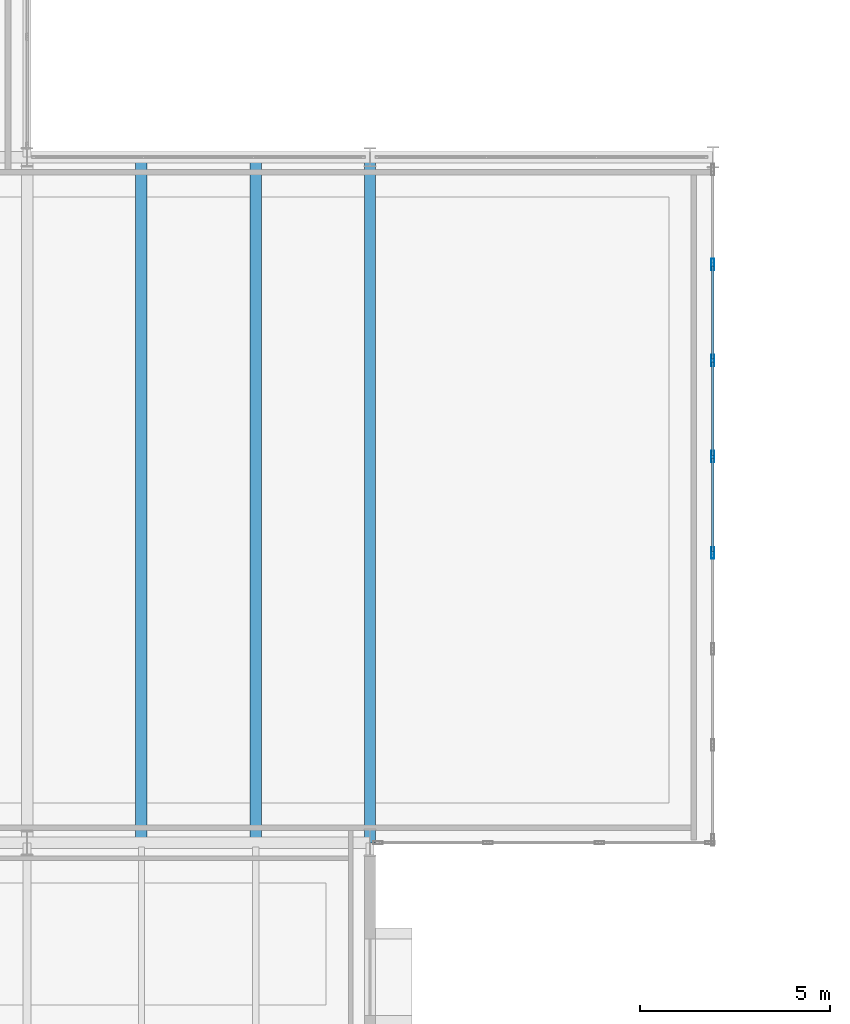
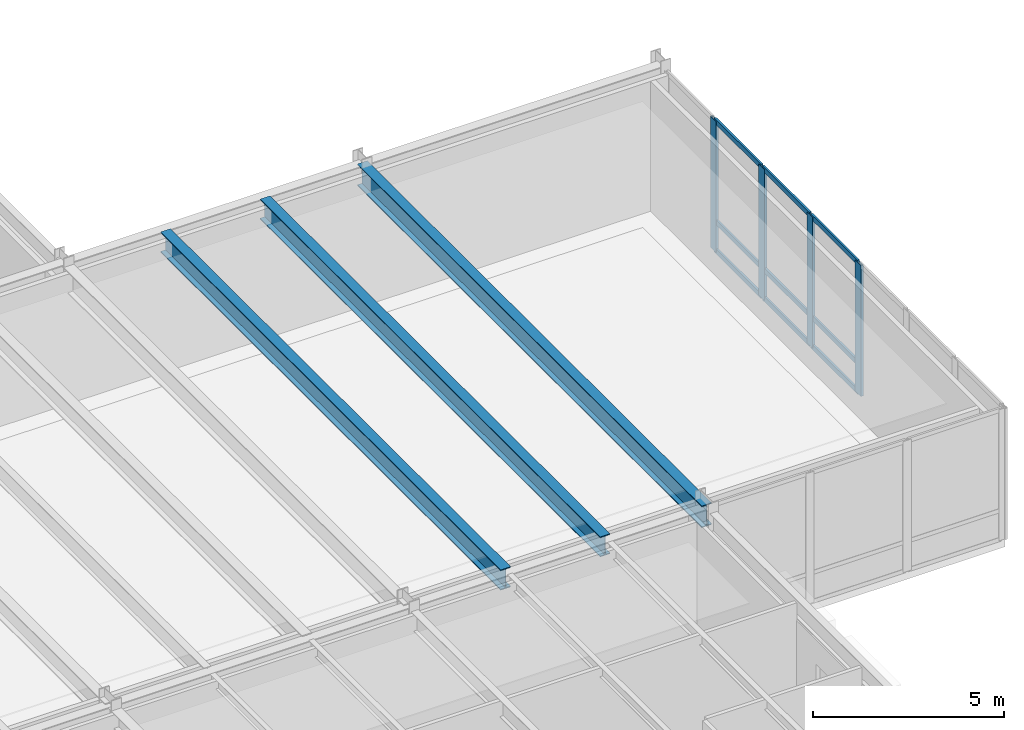
# One storey, part 85 of 127: 13 members, 3 beams, 1 element without a shape of its own.
"""IFC4 building model written with IfcOpenShell, lengths in metres."""

from ifc_helpers import new_model, si_unit, direction, frame, origin, origin_2d, place, context, subcontext, project, spatial, hollow_rectangle, i_section, extrude, material, layer, layer_set, material_profile, profile_set, type_object, element, aggregate, save


model = new_model("IFC4")

# Units and contexts
model_context = context("Model", 3, precision=1e-05, world=origin(), true_north=direction((0.0, 1.0)))
body_context = subcontext(model_context, "Body", "Model", "MODEL_VIEW")
ifc_project = project(units=[si_unit("LENGTHUNIT", "METRE"), si_unit("AREAUNIT", "SQUARE_METRE"), si_unit("VOLUMEUNIT", "CUBIC_METRE"), si_unit("PLANEANGLEUNIT", "RADIAN"), si_unit("MASSUNIT", "GRAM", prefix="KILO")], contexts=[model_context])

# Site, building, storey
site_placement = place(None, origin())
site = spatial("IfcSite", under=ifc_project, at=site_placement, CompositionType="ELEMENT")
building_placement = place(site_placement, origin())
building = spatial("IfcBuilding", under=site, at=building_placement, Name="Montelvaro Courts of Justice", CompositionType="ELEMENT")
storey_placement = place(building_placement, frame((0.0, 0.0, 5.39990234375)))
storey = spatial("IfcBuildingStorey", under=building, at=storey_placement, Name="L01", CompositionType="ELEMENT", Elevation=5.39990234375)

# Beams
ifc_material_1 = material(Name="Steel S355", Category="steel")
ifc_material_profile_1 = material_profile(ifc_material_1, i_section(OverallWidth=0.300048828125, OverallDepth=0.639892578125, WebThickness=0.013427734375, FlangeThickness=0.02587890625, at=origin_2d()), Name="HEA 650")
ifc_profile_set_1 = profile_set([ifc_material_profile_1], Name="Steel S355")
beam_type_1 = type_object("IfcBeamType", Name="Beam_HEA650", PredefinedType="USERDEFINED", material=ifc_profile_set_1)
beam_1_placement = place(storey_placement, frame((132.0, 24.110107421875, 3.900146484375), z_axis=(0.0, 1.0, 0.0), x_axis=(-1.0, 0.0, 0.0)))
element("IfcBeam", 1, at=beam_1_placement, inside=storey, type_object=beam_type_1, Name="Beam B-22 L01", ObjectType="GIRDER", PredefinedType="USERDEFINED", context=body_context, shape_type="SweptSolid", body=[
    extrude(i_section(OverallWidth=0.300048828125, OverallDepth=0.639892578125, WebThickness=0.013427734375, FlangeThickness=0.02587890625, at=origin_2d()), origin(), (0.0, 0.0, 1.0), 17.77978515625),
])
ifc_material_profile_2 = material_profile(ifc_material_1, i_section(OverallWidth=0.300048828125, OverallDepth=0.68994140625, WebThickness=0.014404296875, FlangeThickness=0.027099609375, at=origin_2d()), Name="HEA 700")
ifc_profile_set_2 = profile_set([ifc_material_profile_2], Name="Steel S355")
beam_type_2 = type_object("IfcBeamType", Name="Beam_HEA700", PredefinedType="USERDEFINED", material=ifc_profile_set_2)
beam_2_placement = place(storey_placement, frame((135.0, 24.0, 3.875), z_axis=(0.0, 1.0, 0.0), x_axis=(-1.0, 0.0, 0.0)))
element("IfcBeam", 2, at=beam_2_placement, inside=storey, type_object=beam_type_2, Name="Beam B-23 L01", ObjectType="GIRDER", PredefinedType="USERDEFINED", context=body_context, shape_type="SweptSolid", body=[
    extrude(i_section(OverallWidth=0.300048828125, OverallDepth=0.68994140625, WebThickness=0.014404296875, FlangeThickness=0.027099609375, at=origin_2d()), origin(), (0.0, 0.0, 1.0), 18.0),
])
ifc_material_profile_3 = material_profile(ifc_material_1, i_section(OverallWidth=0.300048828125, OverallDepth=0.64990234375, WebThickness=0.01611328125, FlangeThickness=0.031005859375, at=origin_2d()), Name="HEB 650")
ifc_profile_set_3 = profile_set([ifc_material_profile_3], Name="Steel S355")
beam_type_3 = type_object("IfcBeamType", Name="Beam_HEB650", PredefinedType="USERDEFINED", material=ifc_profile_set_3)
beam_3_placement = place(storey_placement, frame((129.0, 24.110107421875, 3.89501953125), z_axis=(0.0, 1.0, 0.0), x_axis=(-1.0, 0.0, 0.0)))
element("IfcBeam", 3, at=beam_3_placement, inside=storey, type_object=beam_type_3, Name="Beam B-27 L01", ObjectType="GIRDER", PredefinedType="USERDEFINED", context=body_context, shape_type="SweptSolid", body=[
    extrude(i_section(OverallWidth=0.300048828125, OverallDepth=0.64990234375, WebThickness=0.01611328125, FlangeThickness=0.031005859375, at=origin_2d()), origin(), (0.0, 0.0, 1.0), 17.77978515625),
])

# Curtain wall, members
ifc_material_2 = material(Name="Anodised aluminium EN AW-6063", Category="aluminium")
ifc_layer = layer(ifc_material_2, 0.159912109375)
ifc_layer_set = layer_set([ifc_layer], Name="Anodised aluminium EN AW-6063")
curtain_wall_type = type_object("IfcCurtainWallType", Name="CurtainWall_15_1765x418", PredefinedType="USERDEFINED", material=ifc_layer_set)
curtain_wall_placement = place(storey_placement, origin())
curtain_wall = element("IfcCurtainWall", 4, at=curtain_wall_placement, inside=storey, type_object=curtain_wall_type, Name="Curtain Wall CW-15 (L01)", ObjectType="CURTAIN WALL", PredefinedType="USERDEFINED")
ifc_material_profile_4 = material_profile(ifc_material_2, hollow_rectangle(XDim=0.074951171875, YDim=0.300048828125, WallThickness=0.006103515625, at=origin_2d()), Name="ALU-M 75x300")
ifc_profile_set_4 = profile_set([ifc_material_profile_4], Name="Anodised aluminium EN AW-6063")
member_type_1 = type_object("IfcMemberType", Name="CurtainWall_Mullion_75x300", PredefinedType="MULLION", material=ifc_profile_set_4)
member_1_placement = place(storey_placement, frame((144.0, 31.61279296875, 0.0), z_axis=(0.0, 0.0, 1.0), x_axis=(-1.0, 0.0, 0.0)))
member_1 = element("IfcMember", 5, at=member_1_placement, type_object=member_type_1, Name="CW-15 mullion 4", PredefinedType="MULLION", context=body_context, shape_type="SweptSolid", body=[
    extrude(hollow_rectangle(XDim=0.074951171875, YDim=0.300048828125, WallThickness=0.006103515625, at=origin_2d()), origin(), (0.0, 0.0, 1.0), 4.18017578125),
])
member_2_placement = place(storey_placement, frame((144.0, 34.13720703125, 0.0), z_axis=(0.0, 0.0, 1.0), x_axis=(-1.0, 0.0, 0.0)))
member_2 = element("IfcMember", 6, at=member_2_placement, type_object=member_type_1, Name="CW-15 mullion 5", PredefinedType="MULLION", context=body_context, shape_type="SweptSolid", body=[
    extrude(hollow_rectangle(XDim=0.074951171875, YDim=0.300048828125, WallThickness=0.006103515625, at=origin_2d()), origin(), (0.0, 0.0, 1.0), 4.18017578125),
])
member_3_placement = place(storey_placement, frame((144.0, 36.661376953125, 0.0), z_axis=(0.0, 0.0, 1.0), x_axis=(-1.0, 0.0, 0.0)))
member_3 = element("IfcMember", 7, at=member_3_placement, type_object=member_type_1, Name="CW-15 mullion 6", PredefinedType="MULLION", context=body_context, shape_type="SweptSolid", body=[
    extrude(hollow_rectangle(XDim=0.074951171875, YDim=0.300048828125, WallThickness=0.006103515625, at=origin_2d()), origin(), (0.0, 0.0, 1.0), 4.18017578125),
])
member_4_placement = place(storey_placement, frame((144.0, 39.185791015625, 0.0), z_axis=(0.0, 0.0, 1.0), x_axis=(-1.0, 0.0, 0.0)))
member_4 = element("IfcMember", 8, at=member_4_placement, type_object=member_type_1, Name="CW-15 mullion 7", PredefinedType="MULLION", context=body_context, shape_type="SweptSolid", body=[
    extrude(hollow_rectangle(XDim=0.074951171875, YDim=0.300048828125, WallThickness=0.006103515625, at=origin_2d()), origin(), (0.0, 0.0, 1.0), 4.18017578125),
])
ifc_material_profile_5 = material_profile(ifc_material_2, hollow_rectangle(XDim=0.06005859375, YDim=0.159912109375, WallThickness=0.00439453125, at=origin_2d()), Name="ALU-T 60x160")
ifc_profile_set_5 = profile_set([ifc_material_profile_5], Name="Anodised aluminium EN AW-6063")
member_type_2 = type_object("IfcMemberType", Name="CurtainWall_Transom_60x160", PredefinedType="USERDEFINED", material=ifc_profile_set_5)
member_5_placement = place(storey_placement, frame((144.0, 31.650390625, 0.030029296875), z_axis=(0.0, 1.0, 0.0), x_axis=(-1.0, 0.0, 0.0)))
member_5 = element("IfcMember", 9, at=member_5_placement, type_object=member_type_2, Name="CW-15 transom 4.1", ObjectType="TRANSOM", PredefinedType="USERDEFINED", context=body_context, shape_type="SweptSolid", body=[
    extrude(hollow_rectangle(XDim=0.06005859375, YDim=0.159912109375, WallThickness=0.00439453125, at=origin_2d()), origin(), (0.0, 0.0, 1.0), 2.44921875),
])
member_6_placement = place(storey_placement, frame((144.0, 31.650390625, 0.9501953125), z_axis=(0.0, 1.0, 0.0), x_axis=(-1.0, 0.0, 0.0)))
member_6 = element("IfcMember", 10, at=member_6_placement, type_object=member_type_2, Name="CW-15 transom 4.2", ObjectType="TRANSOM", PredefinedType="USERDEFINED", context=body_context, shape_type="SweptSolid", body=[
    extrude(hollow_rectangle(XDim=0.06005859375, YDim=0.159912109375, WallThickness=0.00439453125, at=origin_2d()), origin(), (0.0, 0.0, 1.0), 2.44921875),
])
member_7_placement = place(storey_placement, frame((144.0, 31.650390625, 4.150146484375), z_axis=(0.0, 1.0, 0.0), x_axis=(-1.0, 0.0, 0.0)))
member_7 = element("IfcMember", 11, at=member_7_placement, type_object=member_type_2, Name="CW-15 transom 4.3", ObjectType="TRANSOM", PredefinedType="USERDEFINED", context=body_context, shape_type="SweptSolid", body=[
    extrude(hollow_rectangle(XDim=0.06005859375, YDim=0.159912109375, WallThickness=0.00439453125, at=origin_2d()), origin(), (0.0, 0.0, 1.0), 2.44921875),
])
member_8_placement = place(storey_placement, frame((144.0, 34.174560546875, 0.030029296875), z_axis=(0.0, 1.0, 0.0), x_axis=(-1.0, 0.0, 0.0)))
member_8 = element("IfcMember", 12, at=member_8_placement, type_object=member_type_2, Name="CW-15 transom 5.1", ObjectType="TRANSOM", PredefinedType="USERDEFINED", context=body_context, shape_type="SweptSolid", body=[
    extrude(hollow_rectangle(XDim=0.06005859375, YDim=0.159912109375, WallThickness=0.00439453125, at=origin_2d()), origin(), (0.0, 0.0, 1.0), 2.449462890625),
])
member_9_placement = place(storey_placement, frame((144.0, 34.174560546875, 0.9501953125), z_axis=(0.0, 1.0, 0.0), x_axis=(-1.0, 0.0, 0.0)))
member_9 = element("IfcMember", 13, at=member_9_placement, type_object=member_type_2, Name="CW-15 transom 5.2", ObjectType="TRANSOM", PredefinedType="USERDEFINED", context=body_context, shape_type="SweptSolid", body=[
    extrude(hollow_rectangle(XDim=0.06005859375, YDim=0.159912109375, WallThickness=0.00439453125, at=origin_2d()), origin(), (0.0, 0.0, 1.0), 2.449462890625),
])
member_10_placement = place(storey_placement, frame((144.0, 34.174560546875, 4.150146484375), z_axis=(0.0, 1.0, 0.0), x_axis=(-1.0, 0.0, 0.0)))
member_10 = element("IfcMember", 14, at=member_10_placement, type_object=member_type_2, Name="CW-15 transom 5.3", ObjectType="TRANSOM", PredefinedType="USERDEFINED", context=body_context, shape_type="SweptSolid", body=[
    extrude(hollow_rectangle(XDim=0.06005859375, YDim=0.159912109375, WallThickness=0.00439453125, at=origin_2d()), origin(), (0.0, 0.0, 1.0), 2.449462890625),
])
member_11_placement = place(storey_placement, frame((144.0, 36.698974609375, 0.030029296875), z_axis=(0.0, 1.0, 0.0), x_axis=(-1.0, 0.0, 0.0)))
member_11 = element("IfcMember", 15, at=member_11_placement, type_object=member_type_2, Name="CW-15 transom 6.1", ObjectType="TRANSOM", PredefinedType="USERDEFINED", context=body_context, shape_type="SweptSolid", body=[
    extrude(hollow_rectangle(XDim=0.06005859375, YDim=0.159912109375, WallThickness=0.00439453125, at=origin_2d()), origin(), (0.0, 0.0, 1.0), 2.44921875),
])
member_12_placement = place(storey_placement, frame((144.0, 36.698974609375, 0.9501953125), z_axis=(0.0, 1.0, 0.0), x_axis=(-1.0, 0.0, 0.0)))
member_12 = element("IfcMember", 16, at=member_12_placement, type_object=member_type_2, Name="CW-15 transom 6.2", ObjectType="TRANSOM", PredefinedType="USERDEFINED", context=body_context, shape_type="SweptSolid", body=[
    extrude(hollow_rectangle(XDim=0.06005859375, YDim=0.159912109375, WallThickness=0.00439453125, at=origin_2d()), origin(), (0.0, 0.0, 1.0), 2.44921875),
])
member_13_placement = place(storey_placement, frame((144.0, 36.698974609375, 4.150146484375), z_axis=(0.0, 1.0, 0.0), x_axis=(-1.0, 0.0, 0.0)))
member_13 = element("IfcMember", 17, at=member_13_placement, type_object=member_type_2, Name="CW-15 transom 6.3", ObjectType="TRANSOM", PredefinedType="USERDEFINED", context=body_context, shape_type="SweptSolid", body=[
    extrude(hollow_rectangle(XDim=0.06005859375, YDim=0.159912109375, WallThickness=0.00439453125, at=origin_2d()), origin(), (0.0, 0.0, 1.0), 2.44921875),
])
aggregate(curtain_wall, [member_1, member_2, member_3, member_4, member_5, member_6, member_7, member_8, member_9, member_10, member_11, member_12, member_13])

save(model, "model.ifc")
